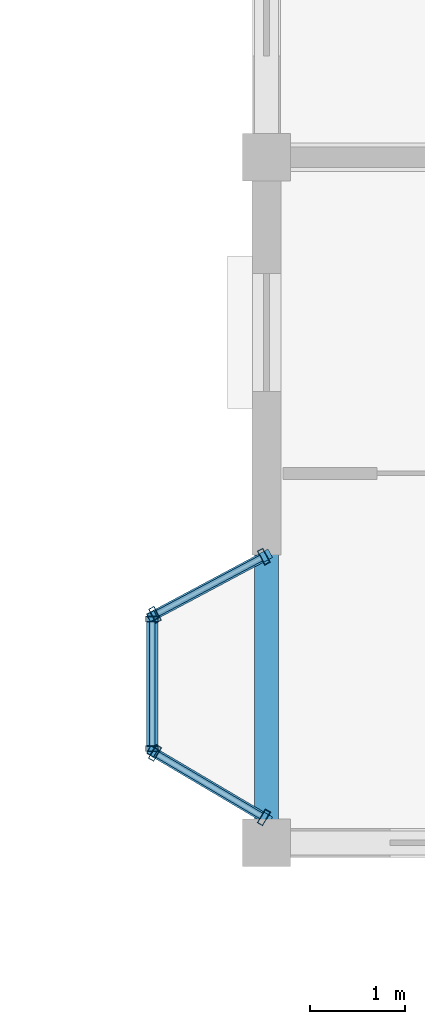
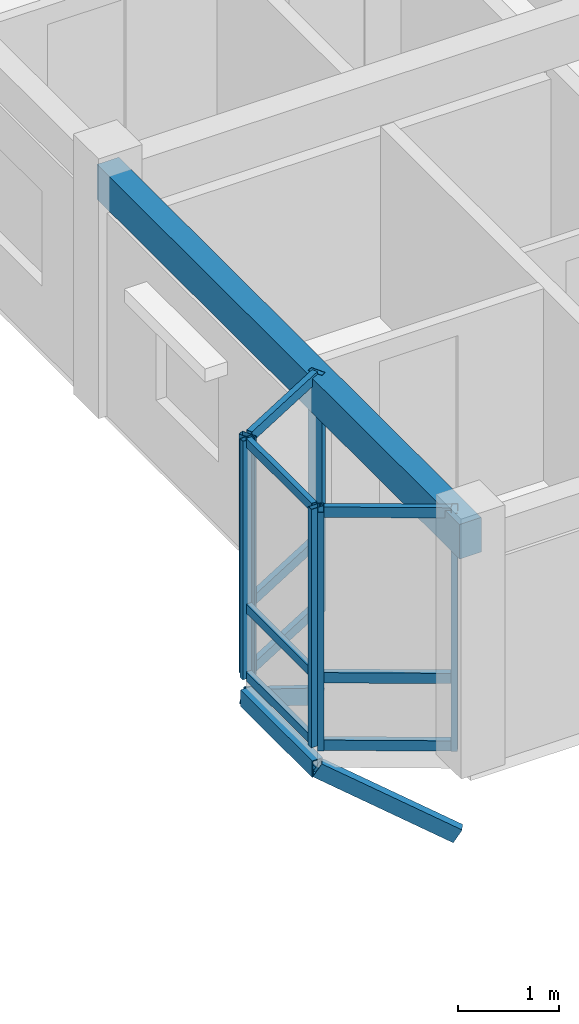
# One storey, part 19 of 65: 18 members, 1 beam, 3 elements without a shape of their own.
"""IFC4 building model written with IfcOpenShell, lengths in metres."""

from ifc_helpers import new_model, si_unit, direction, frame, origin, origin_2d, place, context, subcontext, project, spatial, rectangle, hollow_rectangle, extrude, material, layer, layer_set, material_profile, profile_set, type_object, element, aggregate, save


model = new_model("IFC4")

# Units and contexts
model_context = context("Model", 3, precision=1e-05, world=origin(), true_north=direction((0.0, 1.0)))
body_context = subcontext(model_context, "Body", "Model", "MODEL_VIEW")
ifc_project = project(units=[si_unit("LENGTHUNIT", "METRE"), si_unit("AREAUNIT", "SQUARE_METRE"), si_unit("VOLUMEUNIT", "CUBIC_METRE"), si_unit("PLANEANGLEUNIT", "RADIAN"), si_unit("MASSUNIT", "GRAM", prefix="KILO"), si_unit("THERMODYNAMICTEMPERATUREUNIT", "KELVIN"), si_unit("POWERUNIT", "WATT")], contexts=[model_context])

# Site, building, storey
site_placement = place(None, origin())
site = spatial("IfcSite", under=ifc_project, at=site_placement, CompositionType="ELEMENT")
building_placement = place(site_placement, origin())
building = spatial("IfcBuilding", under=site, at=building_placement, Name="Tavuni Mirador Residences", CompositionType="ELEMENT")
storey_placement = place(building_placement, frame((0.0, 0.0, 29.699951171875)))
storey = spatial("IfcBuildingStorey", under=building, at=storey_placement, Name="L09", CompositionType="ELEMENT", Elevation=29.699951171875)

# Beam
ifc_material_1 = material(Name="Precast concrete C40/50", Category="concrete")
ifc_material_profile_1 = material_profile(ifc_material_1, rectangle(XDim=0.25, YDim=0.419921875, at=origin_2d()), Name="PC 250x420", Category="concrete")
ifc_profile_set_1 = profile_set([ifc_material_profile_1], Name="Precast concrete C40/50")
beam_type = type_object("IfcBeamType", Name="BT-SP420", PredefinedType="SPANDREL", material=ifc_profile_set_1)
beam_placement = place(storey_placement, frame((97.199951171875, 86.39990234375, 2.679931640625), z_axis=(0.0, 1.0, 0.0), x_axis=(-1.0, 0.0, 0.0)))
element("IfcBeam", 1, at=beam_placement, inside=storey, type_object=beam_type, Name="BMY-BLK-D-L09-00-00", PredefinedType="SPANDREL", context=body_context, shape_type="SweptSolid", body=[
    extrude(rectangle(XDim=0.25, YDim=0.419921875, at=origin_2d()), origin(), (0.0, 0.0, 1.0), 7.2001953125),
])

# Curtain wall, members
ifc_material_2 = material(Name="Anodised aluminium", Category="aluminium")
ifc_layer_1 = layer(ifc_material_2, 0.175048828125, Name="Anodised aluminium", Category="aluminium")
ifc_layer_set_1 = layer_set([ifc_layer_1], Name="Anodised aluminium")
curtain_wall_type_1 = type_object("IfcCurtainWallType", Name="CWT-MIR-C", PredefinedType="NOTDEFINED", material=ifc_layer_set_1)
curtain_wall_1_placement = place(storey_placement, origin())
curtain_wall_1 = element("IfcCurtainWall", 2, at=curtain_wall_1_placement, inside=storey, type_object=curtain_wall_type_1, Name="CW-MIR-D-WU-L09-MF", PredefinedType="NOTDEFINED")
ifc_material_profile_2 = material_profile(ifc_material_2, hollow_rectangle(XDim=0.06005859375, YDim=0.139892578125, WallThickness=0.00390625, at=origin_2d()), Name="ALU 60x140x4.0", Category="aluminium")
ifc_profile_set_2 = profile_set([ifc_material_profile_2], Name="Anodised aluminium")
member_type_1 = type_object("IfcMemberType", Name="CWM-140", PredefinedType="MULLION", material=ifc_profile_set_2)
member_1_placement = place(storey_placement, frame((96.0, 88.75, 0.0), z_axis=(0.0, 0.0, 1.0), x_axis=(0.0, -1.0, 0.0)))
member_1 = element("IfcMember", 3, at=member_1_placement, type_object=member_type_1, Name="CW-03 mullion 1", PredefinedType="MULLION", context=body_context, shape_type="SweptSolid", body=[
    extrude(hollow_rectangle(XDim=0.06005859375, YDim=0.139892578125, WallThickness=0.00390625, at=origin_2d()), origin(), (0.0, 0.0, 1.0), 2.89013671875),
])
member_2_placement = place(storey_placement, frame((96.0, 87.389892578125, 0.0), z_axis=(0.0, 0.0, 1.0), x_axis=(0.0, -1.0, 0.0)))
member_2 = element("IfcMember", 4, at=member_2_placement, type_object=member_type_1, Name="CW-03 mullion 2", PredefinedType="MULLION", context=body_context, shape_type="SweptSolid", body=[
    extrude(hollow_rectangle(XDim=0.06005859375, YDim=0.139892578125, WallThickness=0.00390625, at=origin_2d()), origin(), (0.0, 0.0, 1.0), 2.89013671875),
])

ifc_layer_2 = layer(ifc_material_2, 0.14990234375, Name="Anodised aluminium", Category="aluminium")
ifc_layer_set_2 = layer_set([ifc_layer_2], Name="Anodised aluminium")
curtain_wall_type_2 = type_object("IfcCurtainWallType", Name="CWT-MIR-B", PredefinedType="NOTDEFINED", material=ifc_layer_set_2)
curtain_wall_2_placement = place(storey_placement, origin())
curtain_wall_2 = element("IfcCurtainWall", 5, at=curtain_wall_2_placement, inside=storey, type_object=curtain_wall_type_2, Name="CW-MIR-D-WU-L09-M1", PredefinedType="NOTDEFINED")
ifc_material_profile_3 = material_profile(ifc_material_2, hollow_rectangle(XDim=0.06494140625, YDim=0.1650390625, WallThickness=0.00439453125, at=origin_2d()), Name="ALU 65x165x4.5", Category="aluminium")
ifc_profile_set_3 = profile_set([ifc_material_profile_3], Name="Anodised aluminium")
member_type_2 = type_object("IfcMemberType", Name="CWM-165", PredefinedType="MULLION", material=ifc_profile_set_3)
member_3_placement = place(storey_placement, frame((97.17138671875, 89.40478515625, 0.0), z_axis=(0.0, 0.0, 1.0), x_axis=(-0.882352941175, -0.470588235296, 0.0)))
member_3 = element("IfcMember", 6, at=member_3_placement, type_object=member_type_2, Name="CW-02 mullion 1", PredefinedType="MULLION", context=body_context, shape_type="SweptSolid", body=[
    extrude(hollow_rectangle(XDim=0.06494140625, YDim=0.1650390625, WallThickness=0.00439453125, at=origin_2d()), origin(), (0.0, 0.0, 1.0), 2.89013671875),
])
member_4_placement = place(storey_placement, frame((96.028564453125, 88.79541015625, 0.0), z_axis=(0.0, 0.0, 1.0), x_axis=(-0.882352941175, -0.470588235296, 0.0)))
member_4 = element("IfcMember", 7, at=member_4_placement, type_object=member_type_2, Name="CW-02 mullion 2", PredefinedType="MULLION", context=body_context, shape_type="SweptSolid", body=[
    extrude(hollow_rectangle(XDim=0.06494140625, YDim=0.1650390625, WallThickness=0.00439453125, at=origin_2d()), origin(), (0.0, 0.0, 1.0), 2.89013671875),
])

ifc_layer_3 = layer(ifc_material_2, 0.159912109375, Name="Anodised aluminium", Category="aluminium")
ifc_layer_set_3 = layer_set([ifc_layer_3], Name="Anodised aluminium")
curtain_wall_type_3 = type_object("IfcCurtainWallType", Name="CWT-MIR-D", PredefinedType="NOTDEFINED", material=ifc_layer_set_3)
curtain_wall_3_placement = place(storey_placement, origin())
curtain_wall_3 = element("IfcCurtainWall", 8, at=curtain_wall_3_placement, inside=storey, type_object=curtain_wall_type_3, Name="CW-MIR-D-WU-L09-M2", PredefinedType="NOTDEFINED")
member_5_placement = place(storey_placement, frame((96.028076171875, 87.343505859375, 0.0), z_axis=(0.0, 0.0, 1.0), x_axis=(0.860640830284, -0.509212491254, 0.0)))
member_5 = element("IfcMember", 9, at=member_5_placement, type_object=member_type_2, Name="CW-04 mullion 1", PredefinedType="MULLION", context=body_context, shape_type="SweptSolid", body=[
    extrude(hollow_rectangle(XDim=0.06494140625, YDim=0.1650390625, WallThickness=0.00439453125, at=origin_2d()), origin(), (0.0, 0.0, 1.0), 2.89013671875),
])
member_6_placement = place(storey_placement, frame((97.172119140625, 86.66650390625, 0.0), z_axis=(0.0, 0.0, 1.0), x_axis=(0.860640830284, -0.509212491254, 0.0)))
member_6 = element("IfcMember", 10, at=member_6_placement, type_object=member_type_2, Name="CW-04 mullion 2", PredefinedType="MULLION", context=body_context, shape_type="SweptSolid", body=[
    extrude(hollow_rectangle(XDim=0.06494140625, YDim=0.1650390625, WallThickness=0.00439453125, at=origin_2d()), origin(), (0.0, 0.0, 1.0), 2.89013671875),
])

# Member
ifc_material_profile_4 = material_profile(ifc_material_2, hollow_rectangle(XDim=0.06005859375, YDim=0.110107421875, WallThickness=0.00390625, at=origin_2d()), Name="ALU 60x110x4.0", Category="aluminium")
ifc_profile_set_4 = profile_set([ifc_material_profile_4], Name="Anodised aluminium")
member_type_3 = type_object("IfcMemberType", Name="CWT-110", PredefinedType="USERDEFINED", material=ifc_profile_set_4)
member_7_placement = place(storey_placement, frame((96.0, 88.719970703125, 0.030029296875), z_axis=(0.0, -1.0, 0.0), x_axis=(1.0, 0.0, 0.0)))
member_7 = element("IfcMember", 11, at=member_7_placement, type_object=member_type_3, Name="CW-03 transom 1.1", ObjectType="TRANSOM", PredefinedType="USERDEFINED", context=body_context, shape_type="SweptSolid", body=[
    extrude(hollow_rectangle(XDim=0.06005859375, YDim=0.110107421875, WallThickness=0.00390625, at=origin_2d()), origin(), (0.0, 0.0, 1.0), 1.300048828125),
])

member_8_placement = place(storey_placement, frame((96.0, 88.719970703125, 0.85009765625), z_axis=(0.0, -1.0, 0.0), x_axis=(1.0, 0.0, 0.0)))
member_8 = element("IfcMember", 12, at=member_8_placement, type_object=member_type_3, Name="CW-03 transom 1.2", ObjectType="TRANSOM", PredefinedType="USERDEFINED", context=body_context, shape_type="SweptSolid", body=[
    extrude(hollow_rectangle(XDim=0.06005859375, YDim=0.110107421875, WallThickness=0.00390625, at=origin_2d()), origin(), (0.0, 0.0, 1.0), 1.300048828125),
])

member_9_placement = place(storey_placement, frame((96.0, 88.719970703125, 2.860107421875), z_axis=(0.0, -1.0, 0.0), x_axis=(1.0, 0.0, 0.0)))
member_9 = element("IfcMember", 13, at=member_9_placement, type_object=member_type_3, Name="CW-03 transom 1.3", ObjectType="TRANSOM", PredefinedType="USERDEFINED", context=body_context, shape_type="SweptSolid", body=[
    extrude(hollow_rectangle(XDim=0.06005859375, YDim=0.110107421875, WallThickness=0.00390625, at=origin_2d()), origin(), (0.0, 0.0, 1.0), 1.300048828125),
])

aggregate(curtain_wall_1, [member_1, member_2, member_7, member_8, member_9])

ifc_material_profile_5 = material_profile(ifc_material_2, hollow_rectangle(XDim=0.06494140625, YDim=0.125, WallThickness=0.00439453125, at=origin_2d()), Name="ALU 65x125x4.5", Category="aluminium")
ifc_profile_set_5 = profile_set([ifc_material_profile_5], Name="Anodised aluminium")
member_type_4 = type_object("IfcMemberType", Name="CWT-125", PredefinedType="USERDEFINED", material=ifc_profile_set_5)
member_10_placement = place(storey_placement, frame((97.142578125, 89.389404296875, 0.032470703125), z_axis=(-0.882325465843, -0.470639747922, 0.0), x_axis=(0.470639747922, -0.882325465843, 0.0)))
member_10 = element("IfcMember", 14, at=member_10_placement, type_object=member_type_4, Name="CW-02 transom 1.1", ObjectType="TRANSOM", PredefinedType="USERDEFINED", context=body_context, shape_type="SweptSolid", body=[
    extrude(hollow_rectangle(XDim=0.06494140625, YDim=0.125, WallThickness=0.00439453125, at=origin_2d()), origin(), (0.0, 0.0, 1.0), 1.22998046875),
])

member_11_placement = place(storey_placement, frame((97.142578125, 89.389404296875, 0.85009765625), z_axis=(-0.882325465843, -0.470639747922, 0.0), x_axis=(0.470639747922, -0.882325465843, 0.0)))
member_11 = element("IfcMember", 15, at=member_11_placement, type_object=member_type_4, Name="CW-02 transom 1.2", ObjectType="TRANSOM", PredefinedType="USERDEFINED", context=body_context, shape_type="SweptSolid", body=[
    extrude(hollow_rectangle(XDim=0.06494140625, YDim=0.125, WallThickness=0.00439453125, at=origin_2d()), origin(), (0.0, 0.0, 1.0), 1.22998046875),
])

member_12_placement = place(storey_placement, frame((97.142578125, 89.389404296875, 2.857666015625), z_axis=(-0.882325465843, -0.470639747922, 0.0), x_axis=(0.470639747922, -0.882325465843, 0.0)))
member_12 = element("IfcMember", 16, at=member_12_placement, type_object=member_type_4, Name="CW-02 transom 1.3", ObjectType="TRANSOM", PredefinedType="USERDEFINED", context=body_context, shape_type="SweptSolid", body=[
    extrude(hollow_rectangle(XDim=0.06494140625, YDim=0.125, WallThickness=0.00439453125, at=origin_2d()), origin(), (0.0, 0.0, 1.0), 1.22998046875),
])

aggregate(curtain_wall_2, [member_3, member_4, member_10, member_11, member_12])

member_13_placement = place(storey_placement, frame((96.055908203125, 87.326904296875, 0.032470703125), z_axis=(0.860645766749, -0.509204147839, 0.0), x_axis=(0.509204147839, 0.860645766749, 0.0)))
member_13 = element("IfcMember", 17, at=member_13_placement, type_object=member_type_4, Name="CW-04 transom 1.1", ObjectType="TRANSOM", PredefinedType="USERDEFINED", context=body_context, shape_type="SweptSolid", body=[
    extrude(hollow_rectangle(XDim=0.06494140625, YDim=0.125, WallThickness=0.00439453125, at=origin_2d()), origin(), (0.0, 0.0, 1.0), 1.264404296875),
])

member_14_placement = place(storey_placement, frame((96.055908203125, 87.326904296875, 0.85009765625), z_axis=(0.860645766749, -0.509204147839, 0.0), x_axis=(0.509204147839, 0.860645766749, 0.0)))
member_14 = element("IfcMember", 18, at=member_14_placement, type_object=member_type_4, Name="CW-04 transom 1.2", ObjectType="TRANSOM", PredefinedType="USERDEFINED", context=body_context, shape_type="SweptSolid", body=[
    extrude(hollow_rectangle(XDim=0.06494140625, YDim=0.125, WallThickness=0.00439453125, at=origin_2d()), origin(), (0.0, 0.0, 1.0), 1.264404296875),
])

member_15_placement = place(storey_placement, frame((96.055908203125, 87.326904296875, 2.857666015625), z_axis=(0.860645766749, -0.509204147839, 0.0), x_axis=(0.509204147839, 0.860645766749, 0.0)))
member_15 = element("IfcMember", 19, at=member_15_placement, type_object=member_type_4, Name="CW-04 transom 1.3", ObjectType="TRANSOM", PredefinedType="USERDEFINED", context=body_context, shape_type="SweptSolid", body=[
    extrude(hollow_rectangle(XDim=0.06494140625, YDim=0.125, WallThickness=0.00439453125, at=origin_2d()), origin(), (0.0, 0.0, 1.0), 1.264404296875),
])

aggregate(curtain_wall_3, [member_5, member_6, member_13, member_14, member_15])

# Members
ifc_material_3 = material(Name="Structural steel S355", Category="steel")
ifc_material_profile_6 = material_profile(ifc_material_3, hollow_rectangle(XDim=0.10009765625, YDim=0.179931640625, WallThickness=0.008056640625, at=origin_2d()), Name="RHS 180x100x8.0", Category="steel")
ifc_profile_set_6 = profile_set([ifc_material_profile_6], Name="Structural steel S355")
member_type_5 = type_object("IfcMemberType", Name="MT-BR-RHS180", PredefinedType="BRACE", material=ifc_profile_set_6)
member_16_placement = place(storey_placement, frame((97.199951171875, 86.64990234375, -1.050048828125), z_axis=(-0.748736867026, 0.443148636048, 0.492962869114), x_axis=(-0.509336771823, -0.860567285497, 0.0)))
element("IfcMember", 20, at=member_16_placement, inside=storey, type_object=member_type_5, Name="MBRK-MIR-D-WU-L09-1", PredefinedType="BRACE", context=body_context, shape_type="SweptSolid", body=[
    extrude(hollow_rectangle(XDim=0.10009765625, YDim=0.179931640625, WallThickness=0.008056640625, at=origin_2d()), origin(), (0.0, 0.0, 1.0), 1.6025390625),
])
member_17_placement = place(storey_placement, frame((97.199951171875, 89.419921875, -1.050048828125), z_axis=(-0.762969185555, -0.406865154698, 0.502333323389), x_axis=(0.47054164445, -0.882377788047, 0.0)))
element("IfcMember", 21, at=member_17_placement, inside=storey, type_object=member_type_5, Name="MBRK-MIR-D-WU-L09-2", PredefinedType="BRACE", context=body_context, shape_type="SweptSolid", body=[
    extrude(hollow_rectangle(XDim=0.10009765625, YDim=0.179931640625, WallThickness=0.008056640625, at=origin_2d()), origin(), (0.0, 0.0, 1.0), 1.57275390625),
])
ifc_material_profile_7 = material_profile(ifc_material_3, hollow_rectangle(XDim=0.1201171875, YDim=0.199951171875, WallThickness=0.010009765625, at=origin_2d()), Name="RHS 200x120x10.0", Category="steel")
ifc_profile_set_7 = profile_set([ifc_material_profile_7], Name="Structural steel S355")
member_type_6 = type_object("IfcMemberType", Name="MT-ST-RHS200", PredefinedType="STRUT", material=ifc_profile_set_7)
member_18_placement = place(storey_placement, frame((96.0, 87.360107421875, -0.260009765625), z_axis=(0.0, 1.0, 0.0), x_axis=(-1.0, 0.0, 0.0)))
element("IfcMember", 22, at=member_18_placement, inside=storey, type_object=member_type_6, Name="MRIM-MIR-D-WU-L09", PredefinedType="STRUT", context=body_context, shape_type="SweptSolid", body=[
    extrude(hollow_rectangle(XDim=0.1201171875, YDim=0.199951171875, WallThickness=0.010009765625, at=origin_2d()), origin(), (0.0, 0.0, 1.0), 1.419921875),
])

save(model, "model.ifc")
